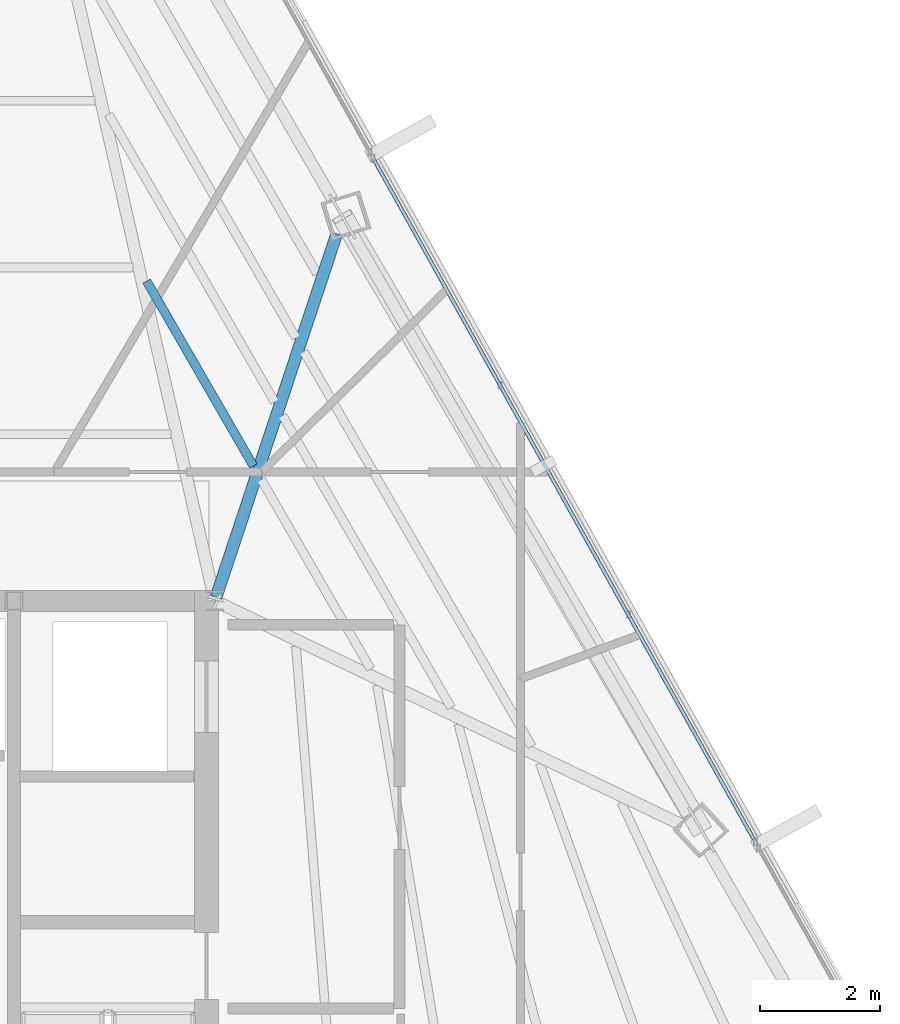
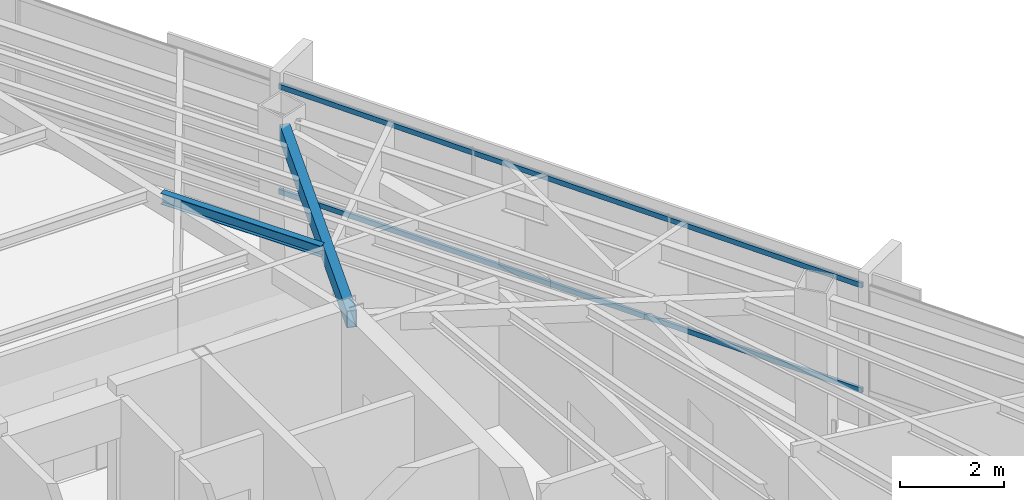
# One storey, part 29 of 44: 2 beams, 2 members, 1 element without a shape of its own.
"""IFC4 building model written with IfcOpenShell, lengths in metres."""

from ifc_helpers import new_model, si_unit, direction, frame, origin, origin_2d, place, context, subcontext, project, spatial, hollow_rectangle, i_section, extrude, source, transform, mapped, material, material_profile, profile_set, type_object, type_shapes, element, aggregate, save


model = new_model("IFC4")

# Units and contexts
model_context = context("Model", 3, precision=1e-05, world=origin(), true_north=direction((0.0, 1.0)))
body_context = subcontext(model_context, "Body", "Model", "MODEL_VIEW")
ifc_project = project(units=[si_unit("LENGTHUNIT", "METRE"), si_unit("AREAUNIT", "SQUARE_METRE"), si_unit("VOLUMEUNIT", "CUBIC_METRE"), si_unit("PLANEANGLEUNIT", "RADIAN"), si_unit("MASSUNIT", "GRAM", prefix="KILO")], contexts=[model_context])

# Site, building, storey
site_placement = place(None, origin())
site = spatial("IfcSite", under=ifc_project, at=site_placement, CompositionType="ELEMENT")
building_placement = place(site_placement, origin())
building = spatial("IfcBuilding", under=site, at=building_placement, Name="Caelisora Broadcast Tower", CompositionType="ELEMENT")
storey_placement = place(building_placement, frame((0.0, 0.0, 259.050048828125)))
storey = spatial("IfcBuildingStorey", under=building, at=storey_placement, Name="L68", CompositionType="ELEMENT", Elevation=259.050048828125)

# Beams
ifc_material_1 = material(Name="Steel Grade 350 (AS/NZS 1163 C350L0)", Category="steel")
ifc_material_profile_1 = material_profile(ifc_material_1, hollow_rectangle(XDim=0.199951171875, YDim=0.39990234375, WallThickness=0.012451171875, at=origin_2d()), Name="Steel Grade 350 (AS/NZS 1163 C350L0)")
ifc_profile_set_1 = profile_set([ifc_material_profile_1], Name="Steel Grade 350 (AS/NZS 1163 C350L0)")
beam_type_1 = type_object("IfcBeamType", Name="PG07", PredefinedType="BEAM", material=ifc_profile_set_1)
shared_shape_1 = source(origin(), body_context, "Body", "SweptSolid", [
    extrude(hollow_rectangle(XDim=0.199951171875, YDim=0.39990234375, WallThickness=0.012451171875, at=origin_2d()), origin(), (0.0, 0.0, 1.0), 6.39599609375),
])
type_shapes(beam_type_1, [shared_shape_1])
beam_1_placement = place(storey_placement, frame((45.518798828125, 30.056884765625, 3.199951171875), z_axis=(0.315139684917, 0.949045298703, 0.0), x_axis=(-0.949045298703, 0.315139684917, 0.0)))
element("IfcBeam", 1, at=beam_1_placement, inside=storey, type_object=beam_type_1, Name="L68 beam PG07", PredefinedType="BEAM", context=body_context, shape_type="MappedRepresentation", body=[
    mapped(shared_shape_1, transform((0.0, 0.0, 0.0), scale=1.0)),
])
ifc_material_2 = material(Name="Steel Grade 350 (AS/NZS 3679.1)", Category="steel")
ifc_material_profile_2 = material_profile(ifc_material_2, i_section(OverallWidth=0.14599609375, OverallDepth=0.256103515625, WebThickness=0.00634765625, FlangeThickness=0.010986328125, at=origin_2d()), Name="Steel Grade 350 (AS/NZS 3679.1)")
ifc_profile_set_2 = profile_set([ifc_material_profile_2], Name="Steel Grade 350 (AS/NZS 3679.1)")
beam_type_2 = type_object("IfcBeamType", Name="SB04", PredefinedType="JOIST", material=ifc_profile_set_2)
shared_shape_2 = source(origin(), body_context, "Body", "SweptSolid", [
    extrude(i_section(OverallWidth=0.14599609375, OverallDepth=0.256103515625, WebThickness=0.00634765625, FlangeThickness=0.010986328125, at=origin_2d()), origin(), (0.0, 0.0, 1.0), 3.564453125),
])
type_shapes(beam_type_2, [shared_shape_2])
beam_2_placement = place(storey_placement, frame((46.14404296875, 32.249755859375, 3.27197265625), z_axis=(-0.499999136801, 0.866025902152, 0.0), x_axis=(-0.866025902152, -0.499999136801, 0.0)))
element("IfcBeam", 2, at=beam_2_placement, inside=storey, type_object=beam_type_2, Name="L68 beam SB04", PredefinedType="JOIST", context=body_context, shape_type="MappedRepresentation", body=[
    mapped(shared_shape_2, transform((0.0, 0.0, 0.0), scale=1.0)),
])

# Curtain wall, members
ifc_material_3 = material(Name="Unitised Aluminium Insulated Shadow-Box Spandrel Curtain Wall", Category="aluminium")
curtain_wall_type = type_object("IfcCurtainWallType", Name="CW-SP3", PredefinedType="NOTDEFINED", material=ifc_material_3)
curtain_wall_placement = place(storey_placement, origin())
curtain_wall = element("IfcCurtainWall", 3, at=curtain_wall_placement, inside=storey, type_object=curtain_wall_type, Name="L68 curtain wall CW-SP3", PredefinedType="NOTDEFINED")
ifc_material_4 = material(Name="Aluminium 6063-T6 Anodised Terracotta Bronze", Category="aluminium")
ifc_material_profile_3 = material_profile(ifc_material_4, hollow_rectangle(XDim=0.06005859375, YDim=0.1201171875, WallThickness=0.0029296875, at=origin_2d()), Name="Aluminium 6063-T6 Anodised Terracotta Bronze")
ifc_profile_set_3 = profile_set([ifc_material_profile_3], Name="Aluminium 6063-T6 Anodised Terracotta Bronze")
member_type = type_object("IfcMemberType", Name="CWT-03", PredefinedType="USERDEFINED", material=ifc_profile_set_3)
shared_shape_3 = source(origin(), body_context, "Body", "SweptSolid", [
    extrude(hollow_rectangle(XDim=0.06005859375, YDim=0.1201171875, WallThickness=0.0029296875, at=origin_2d()), origin(), (0.0, 0.0, 1.0), 13.07177734375),
])
type_shapes(member_type, [shared_shape_3])
member_1_placement = place(storey_placement, frame((48.139892578125, 37.38818359375, 0.849853515625), z_axis=(0.487896285022, -0.872901606747, 0.0), x_axis=(0.872901606747, 0.487896285022, 0.0)))
member_1 = element("IfcMember", 4, at=member_1_placement, type_object=member_type, Name="L68-CW-B02 transom #1", ObjectType="TRANSOM", PredefinedType="USERDEFINED", context=body_context, shape_type="MappedRepresentation", body=[
    mapped(shared_shape_3, transform((0.0, 0.0, 0.0), scale=1.0)),
])
member_2_placement = place(storey_placement, frame((48.139892578125, 37.38818359375, 3.320068359375), z_axis=(0.487896285022, -0.872901606747, 0.0), x_axis=(0.872901606747, 0.487896285022, 0.0)))
member_2 = element("IfcMember", 5, at=member_2_placement, type_object=member_type, Name="L68-CW-B02 transom #2", ObjectType="TRANSOM", PredefinedType="USERDEFINED", context=body_context, shape_type="MappedRepresentation", body=[
    mapped(shared_shape_3, transform((0.0, 0.0, 0.0), scale=1.0)),
])
aggregate(curtain_wall, [member_1, member_2])

save(model, "model.ifc")
